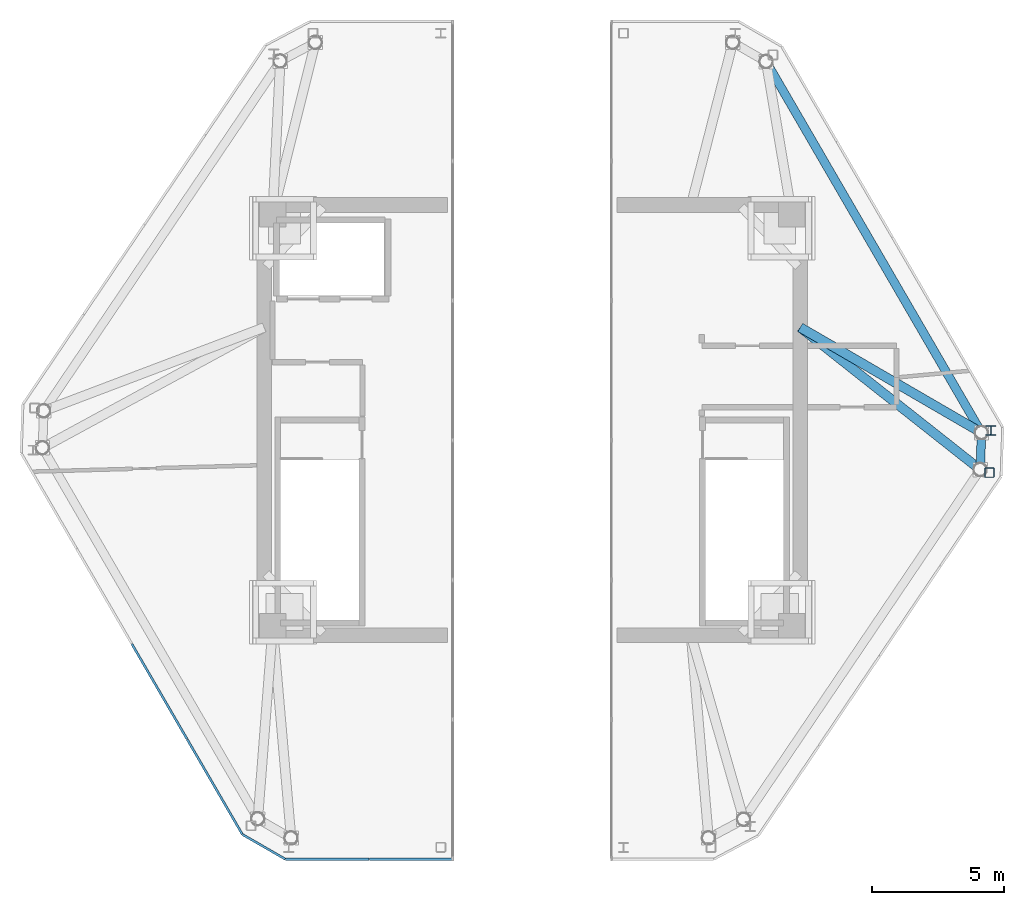
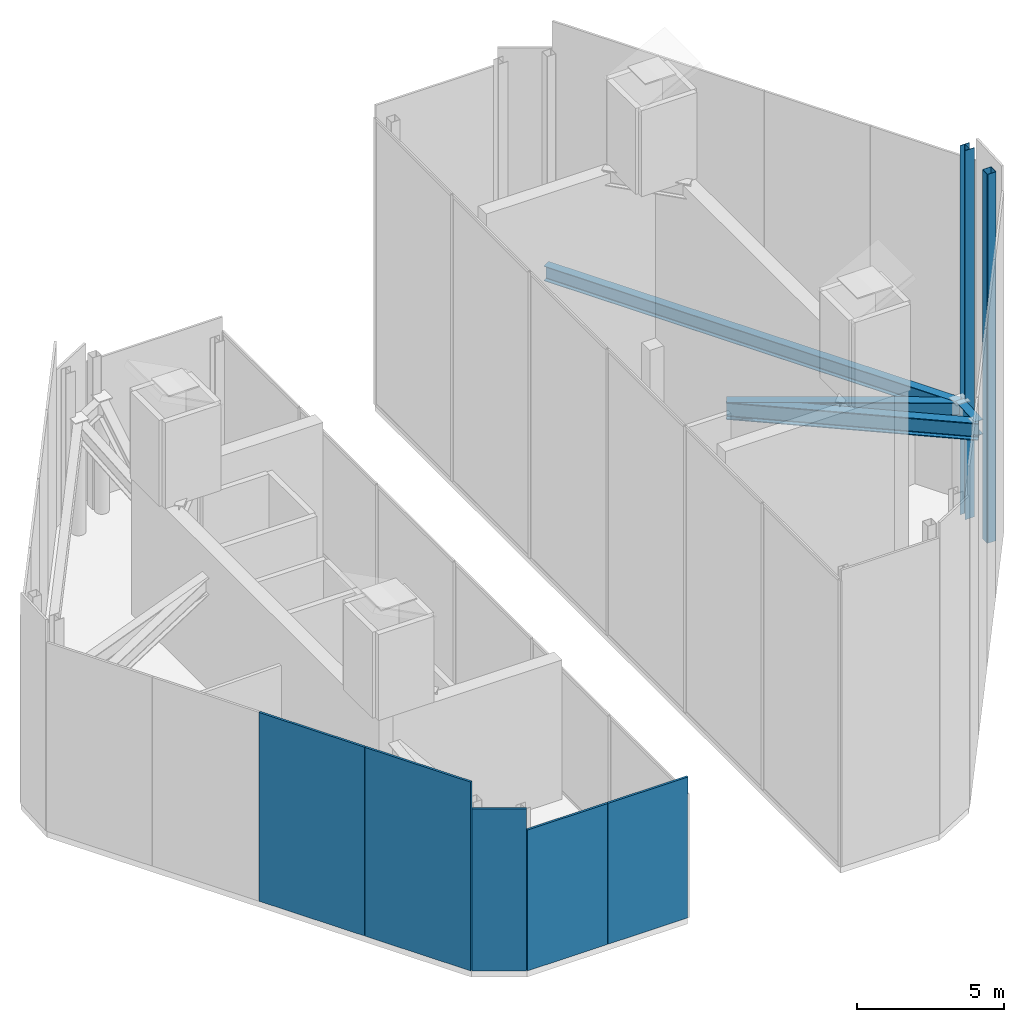
# One storey, part 5 of 9: 5 plates, 4 beams, 2 members.
"""IFC4 building model written with IfcOpenShell, lengths in metres."""

from ifc_helpers import new_model, si_unit, direction, frame, origin, origin_2d, place, context, subcontext, project, spatial, rectangle, hollow_rectangle, i_section, extrude, source, transform, mapped, material, layer, layer_set, material_profile, profile_set, type_object, type_shapes, element, save


model = new_model("IFC4")

# Units and contexts
model_context = context("Model", 3, precision=1e-05, world=origin(), true_north=direction((0.0, 1.0)))
body_context = subcontext(model_context, "Body", "Model", "MODEL_VIEW")
ifc_project = project(units=[si_unit("LENGTHUNIT", "METRE"), si_unit("AREAUNIT", "SQUARE_METRE"), si_unit("VOLUMEUNIT", "CUBIC_METRE"), si_unit("PLANEANGLEUNIT", "RADIAN"), si_unit("MASSUNIT", "GRAM", prefix="KILO")], contexts=[model_context])

# Site, building, storey
site_placement = place(None, origin())
site = spatial("IfcSite", under=ifc_project, at=site_placement, CompositionType="ELEMENT")
building_placement = place(site_placement, origin())
building = spatial("IfcBuilding", under=site, at=building_placement, Name="Durnholm Broadcast Tower", CompositionType="ELEMENT")
storey_placement = place(building_placement, frame((0.0, 0.0, 287.0)))
storey = spatial("IfcBuildingStorey", under=building, at=storey_placement, Name="L79", CompositionType="ELEMENT", Elevation=287.0)

# Beams
ifc_material_1 = material(Name="Steel ASTM A992 Grade 50", Category="steel")
ifc_material_profile_1 = material_profile(ifc_material_1, i_section(OverallWidth=0.3251953125, OverallDepth=0.6162109375, WebThickness=0.013916015625, FlangeThickness=0.021484375, FilletRadius=0.02783203125, at=origin_2d()), Name="W24X117")
ifc_profile_set_1 = profile_set([ifc_material_profile_1], Name="Steel ASTM A992 Grade 50")
beam_type_1 = type_object("IfcBeamType", Name="STL-SP-W24X117", PredefinedType="SPANDREL", material=ifc_profile_set_1)
shared_shape_1 = source(origin(), body_context, "Body", "SweptSolid", [
    extrude(i_section(OverallWidth=0.3251953125, OverallDepth=0.6162109375, WebThickness=0.013916015625, FlangeThickness=0.021484375, FilletRadius=0.02783203125, at=origin_2d()), origin(), (0.0, 0.0, 1.0), 1.39453125),
])
beam_1_placement = place(storey_placement, frame((16.97021484375, -0.47607421875, 4.39697265625), z_axis=(-0.034311541846, -0.999411185697, 0.0), x_axis=(0.999411185697, -0.034311541846, 0.0)))
element("IfcBeam", 1, at=beam_1_placement, inside=storey, type_object=beam_type_1, Name="L79 perimeter spandrel girder 08", PredefinedType="SPANDREL", context=body_context, shape_type="MappedRepresentation", body=[
    mapped(shared_shape_1, transform((0.0, 0.0, 0.0), x_axis=(1.0, 0.0, 0.0), y_axis=(0.0, 1.0, 0.0), z_axis=(0.0, 0.0, 1.0), scale=1.0)),
])
shared_shape_2 = source(origin(), body_context, "Body", "SweptSolid", [
    extrude(i_section(OverallWidth=0.3251953125, OverallDepth=0.6162109375, WebThickness=0.013916015625, FlangeThickness=0.021484375, FilletRadius=0.02783203125, at=origin_2d()), origin(), (0.0, 0.0, 1.0), 16.20263671875),
])
type_shapes(beam_type_1, [shared_shape_1, shared_shape_2])
beam_2_placement = place(storey_placement, frame((8.83740234375, 13.53759765625, 4.39697265625), z_axis=(0.501943573333, -0.864900369516, 0.0), x_axis=(0.864900369516, 0.501943573333, 0.0)))
element("IfcBeam", 2, at=beam_2_placement, inside=storey, type_object=beam_type_1, Name="L79 perimeter spandrel girder 07", PredefinedType="SPANDREL", context=body_context, shape_type="MappedRepresentation", body=[
    mapped(shared_shape_2, transform((0.0, 0.0, 0.0), x_axis=(1.0, 0.0, 0.0), y_axis=(0.0, 1.0, 0.0), z_axis=(0.0, 0.0, 1.0), scale=1.0)),
])
ifc_material_profile_2 = material_profile(ifc_material_1, i_section(OverallWidth=0.3564453125, OverallDepth=0.713623046875, WebThickness=0.01904296875, FlangeThickness=0.033935546875, FilletRadius=0.030517578125, at=origin_2d()), Name="W27X194")
ifc_profile_set_2 = profile_set([ifc_material_profile_2], Name="Steel ASTM A992 Grade 50")
beam_type_2 = type_object("IfcBeamType", Name="STL-GR-W27X194", PredefinedType="USERDEFINED", material=ifc_profile_set_2)
shared_shape_3 = source(origin(), body_context, "Body", "SweptSolid", [
    extrude(i_section(OverallWidth=0.3564453125, OverallDepth=0.713623046875, WebThickness=0.01904296875, FlangeThickness=0.033935546875, FilletRadius=0.030517578125, at=origin_2d()), origin(), (0.0, 0.0, 1.0), 7.916259765625),
])
beam_3_placement = place(storey_placement, frame((10.125, 3.5, 4.34814453125), z_axis=(0.864710310336, -0.502270922111, 0.0), x_axis=(0.502270922111, 0.864710310336, 0.0)))
element("IfcBeam", 3, at=beam_3_placement, inside=storey, type_object=beam_type_2, Name="L79 radial primary floor girder 08", ObjectType="GIRDER", PredefinedType="USERDEFINED", context=body_context, shape_type="MappedRepresentation", body=[
    mapped(shared_shape_3, transform((0.0, 0.0, 0.0), x_axis=(1.0, 0.0, 0.0), y_axis=(0.0, 1.0, 0.0), z_axis=(0.0, 0.0, 1.0), scale=1.0)),
])
shared_shape_4 = source(origin(), body_context, "Body", "SweptSolid", [
    extrude(i_section(OverallWidth=0.3564453125, OverallDepth=0.713623046875, WebThickness=0.01904296875, FlangeThickness=0.033935546875, FilletRadius=0.030517578125, at=origin_2d()), origin(), (0.0, 0.0, 1.0), 8.66259765625),
])
type_shapes(beam_type_2, [shared_shape_3, shared_shape_4])
beam_4_placement = place(storey_placement, frame((10.125, 3.5, 4.34814453125), z_axis=(0.784684334797, -0.619895551464, 0.0), x_axis=(0.619895551464, 0.784684334797, 0.0)))
element("IfcBeam", 4, at=beam_4_placement, inside=storey, type_object=beam_type_2, Name="L79 radial primary floor girder 09", ObjectType="GIRDER", PredefinedType="USERDEFINED", context=body_context, shape_type="MappedRepresentation", body=[
    mapped(shared_shape_4, transform((0.0, 0.0, 0.0), x_axis=(1.0, 0.0, 0.0), y_axis=(0.0, 1.0, 0.0), z_axis=(0.0, 0.0, 1.0), scale=1.0)),
])

# Members
ifc_material_2 = material(Name="Steel ASTM A500 Grade C", Category="steel")
ifc_material_profile_3 = material_profile(ifc_material_2, hollow_rectangle(XDim=0.355712890625, YDim=0.355712890625, WallThickness=0.01171875, InnerFilletRadius=0.017578125, OuterFilletRadius=0.029541015625, at=origin_2d()), Name="HSS14X14X1/2")
ifc_profile_set_3 = profile_set([ifc_material_profile_3], Name="Steel ASTM A500 Grade C")
member_type_1 = type_object("IfcMemberType", Name="STL-CF-HSS14X14", PredefinedType="USERDEFINED", material=ifc_profile_set_3)
shared_shape_5 = source(origin(), body_context, "Body", "SweptSolid", [
    extrude(hollow_rectangle(XDim=0.355712890625, YDim=0.355712890625, WallThickness=0.01171875, InnerFilletRadius=0.017578125, OuterFilletRadius=0.029541015625, at=origin_2d()), origin(), (0.0, 0.0, 1.0), 15.30712890625),
])
type_shapes(member_type_1, [shared_shape_5])
member_1_placement = place(storey_placement, frame((17.268798828125, -1.982421875, -0.280029296875), z_axis=(0.0, 0.0, 1.0), x_axis=(1.0, 0.0, 0.0)))
element("IfcMember", 5, at=member_1_placement, inside=storey, type_object=member_type_1, Name="L79 E split-crown frame post 5", ObjectType="CROWN FRAME", PredefinedType="USERDEFINED", context=body_context, shape_type="MappedRepresentation", body=[
    mapped(shared_shape_5, transform((0.0, 0.0, 0.0), x_axis=(1.0, 0.0, 0.0), y_axis=(0.0, 1.0, 0.0), z_axis=(0.0, 0.0, 1.0), scale=1.0)),
])
ifc_material_profile_4 = material_profile(ifc_material_1, i_section(OverallWidth=0.368896484375, OverallDepth=0.356201171875, WebThickness=0.01123046875, FlangeThickness=0.01806640625, FilletRadius=0.030517578125, at=origin_2d()), Name="W14X90")
ifc_profile_set_4 = profile_set([ifc_material_profile_4], Name="Steel ASTM A992 Grade 50")
member_type_2 = type_object("IfcMemberType", Name="STL-CF-W14X90", PredefinedType="USERDEFINED", material=ifc_profile_set_4)
shared_shape_6 = source(origin(), body_context, "Body", "SweptSolid", [
    extrude(i_section(OverallWidth=0.368896484375, OverallDepth=0.356201171875, WebThickness=0.01123046875, FlangeThickness=0.01806640625, FilletRadius=0.030517578125, at=origin_2d()), origin(), (0.0, 0.0, 1.0), 15.3193359375),
])
type_shapes(member_type_2, [shared_shape_6])
member_2_placement = place(storey_placement, frame((17.323486328125, -0.387451171875, -0.280029296875), z_axis=(0.0, 0.0, 1.0), x_axis=(1.0, 0.0, 0.0)))
element("IfcMember", 6, at=member_2_placement, inside=storey, type_object=member_type_2, Name="L79 E split-crown frame post 6", ObjectType="CROWN FRAME", PredefinedType="USERDEFINED", context=body_context, shape_type="MappedRepresentation", body=[
    mapped(shared_shape_6, transform((0.0, 0.0, 0.0), x_axis=(1.0, 0.0, 0.0), y_axis=(0.0, 1.0, 0.0), z_axis=(0.0, 0.0, 1.0), scale=1.0)),
])

# Plates
ifc_material_3 = material(Name="Anodised Architectural Aluminium Louvre Screen", Category="aluminium")
ifc_layer = layer(ifc_material_3, 0.0849609375)
ifc_layer_set = layer_set([ifc_layer], Name="Anodised Architectural Aluminium Louvre Screen")
plate_type = type_object("IfcPlateType", Name="PLT-CROWN-SCR", PredefinedType="USERDEFINED", material=ifc_layer_set)
shared_shape_7 = source(origin(), body_context, "Body", "SweptSolid", [
    extrude(rectangle(XDim=3.138916015625, YDim=0.0849609375, at=origin_2d()), origin(), (0.0, 0.0, 1.0), 5.84619140625),
])
for number, where, z_axis, x_axis, name in (
    (7, (-4.579345703125, -16.5859375, 0.0), (0.0, 0.0, 1.0), (-1.0, 0.0, 0.0), "L79 mechanical louvre screen panel SCR-L79-W-6.1"),
    (8, (-7.73828125, -16.5859375, 0.0), (0.0, 0.0, 1.0), (-1.0, 0.0, 0.0), "L79 mechanical louvre screen panel SCR-L79-W-6.2"),
):
    element("IfcPlate", number, at=place(storey_placement, frame(where, z_axis=z_axis, x_axis=x_axis)), inside=storey, type_object=plate_type, Name=name, ObjectType="SCREEN", PredefinedType="USERDEFINED", context=body_context, shape_type="MappedRepresentation", body=[
        mapped(shared_shape_7, transform((0.0, 0.0, 0.0), x_axis=(1.0, 0.0, 0.0), y_axis=(0.0, 1.0, 0.0), z_axis=(0.0, 0.0, 1.0), scale=1.0)),
    ])
shared_shape_8 = source(origin(), body_context, "Body", "SweptSolid", [
    extrude(rectangle(XDim=1.859130859375, YDim=0.0849609375, at=origin_2d()), origin(), (0.0, 0.0, 1.0), 6.72705078125),
])
plate_placement = place(storey_placement, frame((-10.1318359375, -16.1171875, 0.0), z_axis=(0.0, 0.0, 1.0), x_axis=(-0.866548527613, 0.499092826328, 0.0)))
element("IfcPlate", 9, at=plate_placement, inside=storey, type_object=plate_type, Name="L79 mechanical louvre screen panel SCR-L79-W-7.1", ObjectType="SCREEN", PredefinedType="USERDEFINED", context=body_context, shape_type="MappedRepresentation", body=[
    mapped(shared_shape_8, transform((0.0, 0.0, 0.0), x_axis=(1.0, 0.0, 0.0), y_axis=(0.0, 1.0, 0.0), z_axis=(0.0, 0.0, 1.0), scale=1.0)),
])
shared_shape_9 = source(origin(), body_context, "Body", "SweptSolid", [
    extrude(rectangle(XDim=4.1416015625, YDim=0.0849609375, at=origin_2d()), origin(), (0.0, 0.0, 1.0), 7.833740234375),
])
type_shapes(plate_type, [shared_shape_7, shared_shape_8, shared_shape_9])
for number, where, z_axis, x_axis, name in (
    (10, (-11.990478515625, -13.848388671875, 0.0), (0.0, 0.0, 1.0), (-0.501963660617, 0.864888711581, 0.0), "L79 mechanical louvre screen panel SCR-L79-W-8.1"),
    (11, (-14.079345703125, -10.2490234375, 0.0), (0.0, 0.0, 1.0), (-0.501963660617, 0.864888711581, 0.0), "L79 mechanical louvre screen panel SCR-L79-W-8.2"),
):
    element("IfcPlate", number, at=place(storey_placement, frame(where, z_axis=z_axis, x_axis=x_axis)), inside=storey, type_object=plate_type, Name=name, ObjectType="SCREEN", PredefinedType="USERDEFINED", context=body_context, shape_type="MappedRepresentation", body=[
        mapped(shared_shape_9, transform((0.0, 0.0, 0.0), x_axis=(1.0, 0.0, 0.0), y_axis=(0.0, 1.0, 0.0), z_axis=(0.0, 0.0, 1.0), scale=1.0)),
    ])

save(model, "model.ifc")
